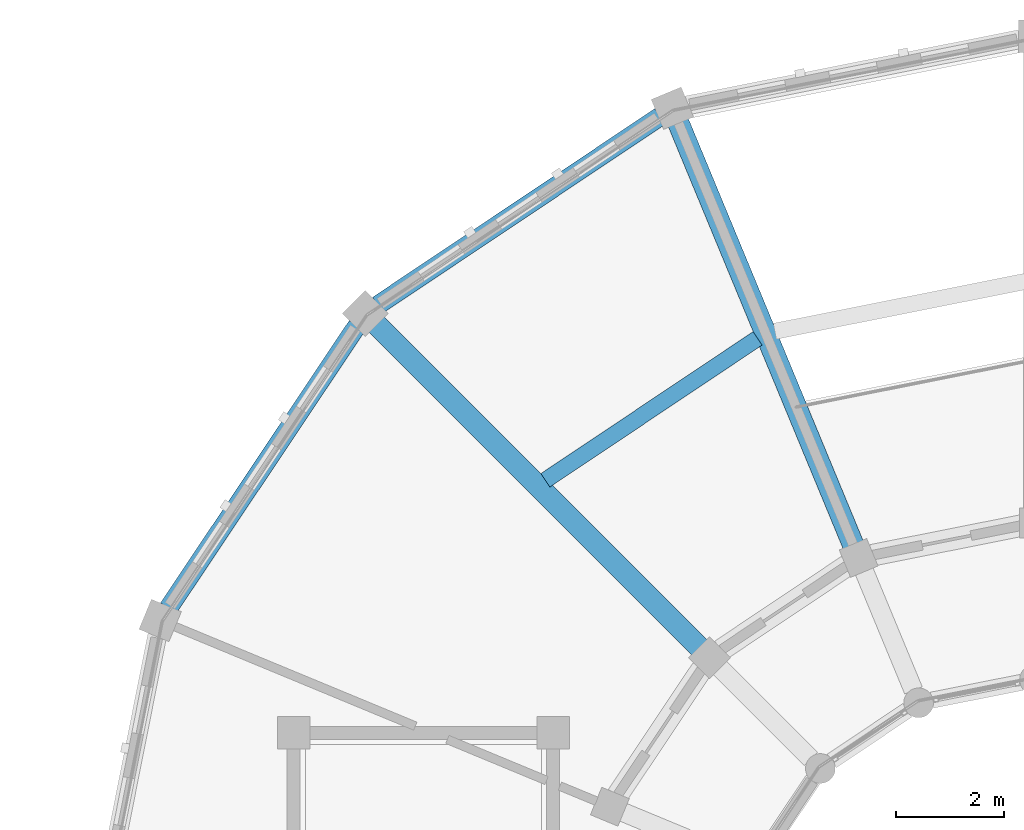
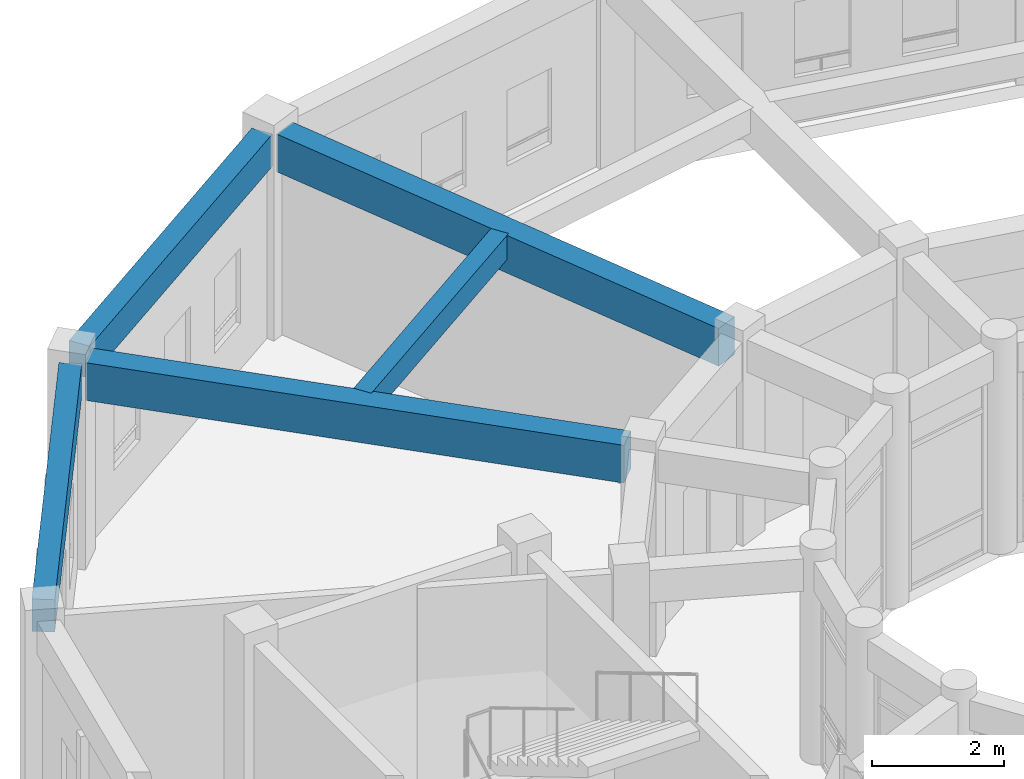
# One storey, part 70 of 159: 5 beams.
"""IFC4 building model written with IfcOpenShell, lengths in metres."""

from ifc_helpers import new_model, si_unit, direction, frame, origin, origin_2d, place, context, subcontext, project, spatial, rectangle, extrude, material, material_profile, profile_set, type_object, element, save


model = new_model("IFC4")

# Units and contexts
model_context = context("Model", 3, precision=1e-05, world=origin(), true_north=direction((0.0, 1.0)))
body_context = subcontext(model_context, "Body", "Model", "MODEL_VIEW")
ifc_project = project(units=[si_unit("LENGTHUNIT", "METRE"), si_unit("AREAUNIT", "SQUARE_METRE"), si_unit("VOLUMEUNIT", "CUBIC_METRE"), si_unit("PLANEANGLEUNIT", "RADIAN"), si_unit("MASSUNIT", "GRAM", prefix="KILO")], contexts=[model_context])

# Site, building, storey
site_placement = place(None, origin())
site = spatial("IfcSite", under=ifc_project, at=site_placement, CompositionType="ELEMENT")
building_placement = place(site_placement, origin())
building = spatial("IfcBuilding", under=site, at=building_placement, Name="Celadon Cloister-Ring School", CompositionType="ELEMENT")
storey_placement = place(building_placement, frame((0.0, 0.0, 4.5)))
storey = spatial("IfcBuildingStorey", under=building, at=storey_placement, Name="L01", CompositionType="ELEMENT", Elevation=4.5)

# Beams
ifc_material_1 = material(Name="Concrete C35/45", Category="concrete")
ifc_material_profile_1 = material_profile(ifc_material_1, rectangle(XDim=0.39990234375, YDim=0.699951171875, at=origin_2d()), Name="RC400X700")
ifc_profile_set_1 = profile_set([ifc_material_profile_1], Name="Concrete C35/45")
beam_type_1 = type_object("IfcBeamType", Name="GT-03", PredefinedType="USERDEFINED", material=ifc_profile_set_1)
beam_1_placement = place(storey_placement, frame((13.60791015625, 112.9140625, 3.429931640625), z_axis=(0.382667268836, -0.923886227499, 0.0), x_axis=(0.923886227499, 0.382667268836, 0.0)))
element("IfcBeam", 1, at=beam_1_placement, inside=storey, type_object=beam_type_1, Name="Beam 0667", ObjectType="GIRDER", PredefinedType="USERDEFINED", context=body_context, shape_type="SweptSolid", body=[
    extrude(rectangle(XDim=0.39990234375, YDim=0.699951171875, at=origin_2d()), origin(), (0.0, 0.0, 1.0), 8.47509765625),
])
beam_2_placement = place(storey_placement, frame((8.02001953125, 109.179931640625, 3.429931640625), z_axis=(0.707106781187, -0.707106781187, 0.0), x_axis=(0.707106781187, 0.707106781187, 0.0)))
element("IfcBeam", 2, at=beam_2_placement, inside=storey, type_object=beam_type_1, Name="Beam 0669", ObjectType="GIRDER", PredefinedType="USERDEFINED", context=body_context, shape_type="SweptSolid", body=[
    extrude(rectangle(XDim=0.39990234375, YDim=0.699951171875, at=origin_2d()), origin(), (0.0, 0.0, 1.0), 8.475341796875),
])
ifc_material_2 = material(Name="Concrete C35/45", Category="concrete")
ifc_material_profile_2 = material_profile(ifc_material_2, rectangle(XDim=0.300048828125, YDim=0.449951171875, at=origin_2d()), Name="RC300X450")
ifc_profile_set_2 = profile_set([ifc_material_profile_2], Name="Concrete C35/45")
beam_type_2 = type_object("IfcBeamType", Name="JT-01", PredefinedType="JOIST", material=ifc_profile_set_2)
beam_3_placement = place(storey_placement, frame((15.0791015625, 108.9130859375, 3.554931640625), z_axis=(-0.831333623542, -0.55577370068, 0.0), x_axis=(0.55577370068, -0.831333623542, 0.0)))
element("IfcBeam", 3, at=beam_3_placement, inside=storey, type_object=beam_type_2, Name="Beam 0704", PredefinedType="JOIST", context=body_context, shape_type="SweptSolid", body=[
    extrude(rectangle(XDim=0.300048828125, YDim=0.449951171875, at=origin_2d()), origin(), (0.0, 0.0, 1.0), 4.721435546875),
])
ifc_material_3 = material(Name="Concrete C35/45", Category="concrete")
ifc_material_profile_3 = material_profile(ifc_material_3, rectangle(XDim=0.35009765625, YDim=0.60009765625, at=origin_2d()), Name="RC350X600")
ifc_profile_set_3 = profile_set([ifc_material_profile_3], Name="Concrete C35/45")
beam_type_3 = type_object("IfcBeamType", Name="SP-01", PredefinedType="SPANDREL", material=ifc_profile_set_3)
beam_4_placement = place(storey_placement, frame((13.27392578125, 113.014892578125, 3.47998046875), z_axis=(-0.831427473898, -0.555633292422, 0.0), x_axis=(0.555633292422, -0.831427473898, 0.0)))
element("IfcBeam", 4, at=beam_4_placement, inside=storey, type_object=beam_type_3, Name="Beam 0701", PredefinedType="SPANDREL", context=body_context, shape_type="SweptSolid", body=[
    extrude(rectangle(XDim=0.35009765625, YDim=0.60009765625, at=origin_2d()), origin(), (0.0, 0.0, 1.0), 6.277099609375),
])
beam_5_placement = place(storey_placement, frame((7.673095703125, 109.14501953125, 3.47998046875), z_axis=(-0.555660177561, -0.831409506244, 0.0), x_axis=(0.831409506244, -0.555660177561, 0.0)))
element("IfcBeam", 5, at=beam_5_placement, inside=storey, type_object=beam_type_3, Name="Beam 0705", PredefinedType="SPANDREL", context=body_context, shape_type="SweptSolid", body=[
    extrude(rectangle(XDim=0.35009765625, YDim=0.60009765625, at=origin_2d()), origin(), (0.0, 0.0, 1.0), 6.27734375),
])

save(model, "model.ifc")
